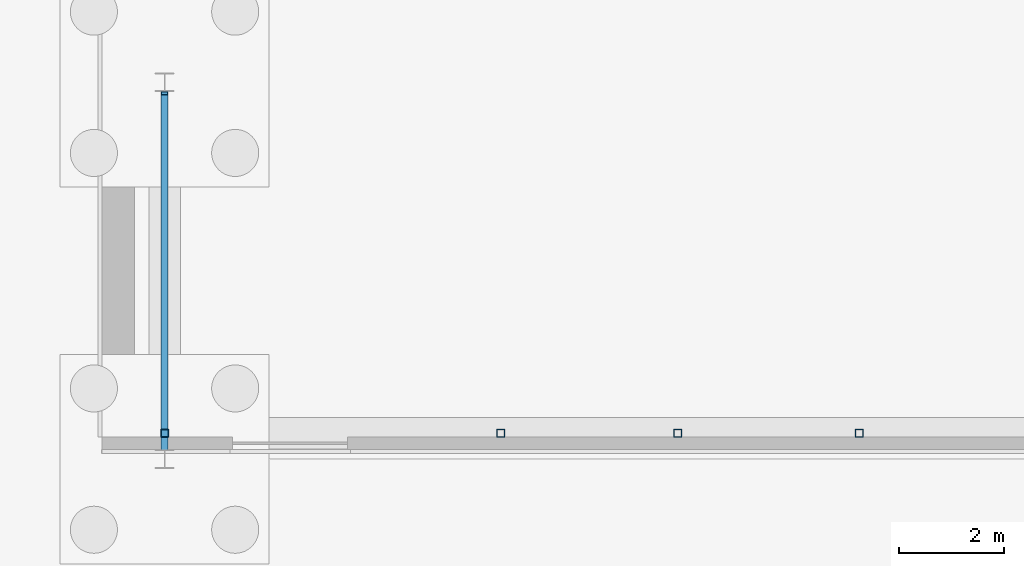
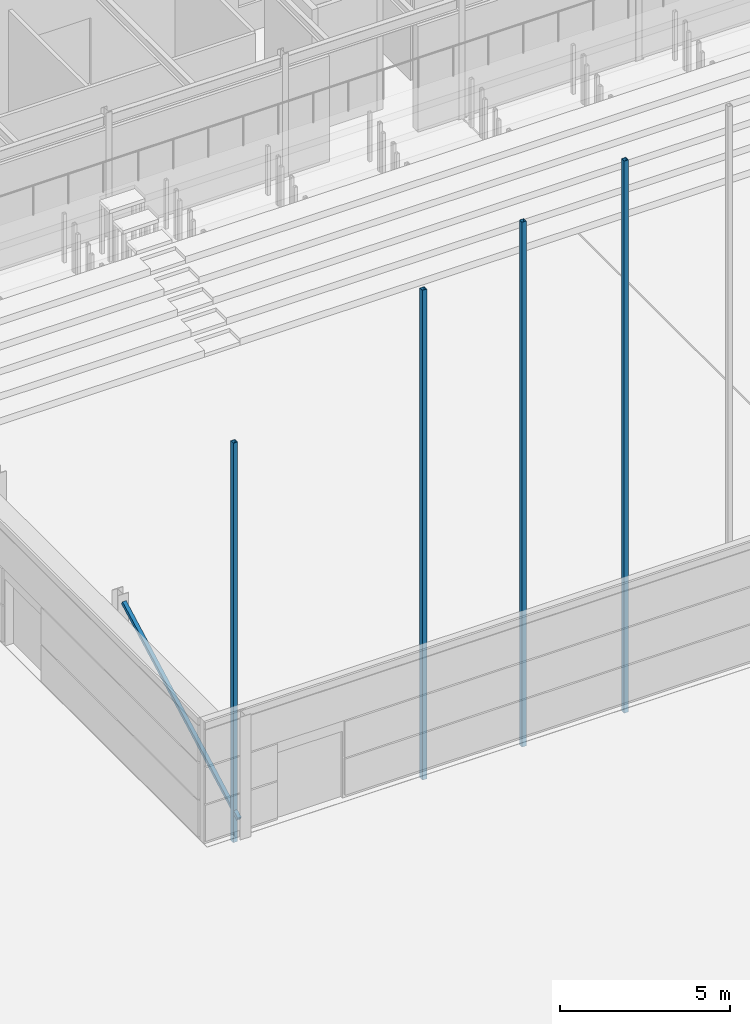
# One storey, part 40 of 139: 5 members.
"""IFC4 building model written with IfcOpenShell, lengths in metres."""

from ifc_helpers import new_model, si_unit, direction, frame, origin, origin_2d, place, context, subcontext, project, spatial, hollow_rectangle, extrude, material, material_profile, profile_set, type_object, element, save


model = new_model("IFC4")

# Units and contexts
model_context = context("Model", 3, precision=1e-05, world=origin(), true_north=direction((0.0, 1.0)))
body_context = subcontext(model_context, "Body", "Model", "MODEL_VIEW")
ifc_project = project(units=[si_unit("LENGTHUNIT", "METRE"), si_unit("AREAUNIT", "SQUARE_METRE"), si_unit("VOLUMEUNIT", "CUBIC_METRE"), si_unit("PLANEANGLEUNIT", "RADIAN"), si_unit("MASSUNIT", "GRAM", prefix="KILO")], contexts=[model_context])

# Site, building, storey
site_placement = place(None, origin())
site = spatial("IfcSite", under=ifc_project, at=site_placement, CompositionType="ELEMENT")
building_placement = place(site_placement, origin())
building = spatial("IfcBuilding", under=site, at=building_placement, Name="Verrick Yard Athletic Hall", CompositionType="ELEMENT")
storey_placement = place(building_placement, origin())
storey = spatial("IfcBuildingStorey", under=building, at=storey_placement, Name="L00", CompositionType="ELEMENT", Elevation=0.0)

# Members
ifc_material = material(Name="Structural steel HSS Class C 350W (CSA G40.20/G40.21)", Category="steel")
ifc_material_profile_1 = material_profile(ifc_material, hollow_rectangle(XDim=0.15234375, YDim=0.15234375, WallThickness=0.009521484375, at=origin_2d()), Name="HSS152x152x9.5")
ifc_profile_set_1 = profile_set([ifc_material_profile_1], Name="Structural steel HSS Class C 350W (CSA G40.20/G40.21)")
member_type_1 = type_object("IfcMemberType", Name="HB gable post HSS152x152x9.5", PredefinedType="POST", material=ifc_profile_set_1)
member_1_placement = place(storey_placement, frame((121.60009765625, 72.49462890625, -0.5), z_axis=(0.0, 0.0, 1.0), x_axis=(1.0, 0.0, 0.0)))
element("IfcMember", 1, at=member_1_placement, inside=storey, type_object=member_type_1, Name="HB-GP-AS-0", PredefinedType="POST", context=body_context, shape_type="SweptSolid", body=[
    extrude(hollow_rectangle(XDim=0.15234375, YDim=0.15234375, WallThickness=0.009521484375, at=origin_2d()), origin(), (0.0, 0.0, 1.0), 14.3544921875),
])
member_2_placement = place(storey_placement, frame((128.023681640625, 72.49462890625, -0.5), z_axis=(0.0, 0.0, 1.0), x_axis=(1.0, 0.0, 0.0)))
element("IfcMember", 2, at=member_2_placement, inside=storey, type_object=member_type_1, Name="HB-GP-AS-2", PredefinedType="POST", context=body_context, shape_type="SweptSolid", body=[
    extrude(hollow_rectangle(XDim=0.15234375, YDim=0.15234375, WallThickness=0.009521484375, at=origin_2d()), origin(), (0.0, 0.0, 1.0), 17.592041015625),
])
member_3_placement = place(storey_placement, frame((131.407470703125, 72.49462890625, -0.5), z_axis=(0.0, 0.0, 1.0), x_axis=(1.0, 0.0, 0.0)))
element("IfcMember", 3, at=member_3_placement, inside=storey, type_object=member_type_1, Name="HB-GP-AS-3", PredefinedType="POST", context=body_context, shape_type="SweptSolid", body=[
    extrude(hollow_rectangle(XDim=0.15234375, YDim=0.15234375, WallThickness=0.009521484375, at=origin_2d()), origin(), (0.0, 0.0, 1.0), 18.849609375),
])
member_4_placement = place(storey_placement, frame((134.878662109375, 72.49462890625, -0.5), z_axis=(0.0, 0.0, 1.0), x_axis=(1.0, 0.0, 0.0)))
element("IfcMember", 4, at=member_4_placement, inside=storey, type_object=member_type_1, Name="HB-GP-AS-4", PredefinedType="POST", context=body_context, shape_type="SweptSolid", body=[
    extrude(hollow_rectangle(XDim=0.15234375, YDim=0.15234375, WallThickness=0.009521484375, at=origin_2d()), origin(), (0.0, 0.0, 1.0), 19.8369140625),
])
ifc_material_profile_2 = material_profile(ifc_material, hollow_rectangle(XDim=0.126953125, YDim=0.126953125, WallThickness=0.009521484375, at=origin_2d()), Name="HSS127x127x9.5")
ifc_profile_set_2 = profile_set([ifc_material_profile_2], Name="Structural steel HSS Class C 350W (CSA G40.20/G40.21)")
member_type_2 = type_object("IfcMemberType", Name="HB wall brace HSS127x127x9.5", PredefinedType="BRACE", material=ifc_profile_set_2)
member_5_placement = place(storey_placement, frame((121.60009765625, 72.208251953125, 0.46630859375), z_axis=(0.0, 0.879758415008, 0.475421004187), x_axis=(-1.0, 0.0, 0.0)))
element("IfcMember", 5, at=member_5_placement, inside=storey, type_object=member_type_2, Name="HB-BRW-AW-1-L00", PredefinedType="BRACE", context=body_context, shape_type="SweptSolid", body=[
    extrude(hollow_rectangle(XDim=0.126953125, YDim=0.126953125, WallThickness=0.009521484375, at=origin_2d()), origin(), (0.0, 0.0, 1.0), 7.710693359375),
])

save(model, "model.ifc")
